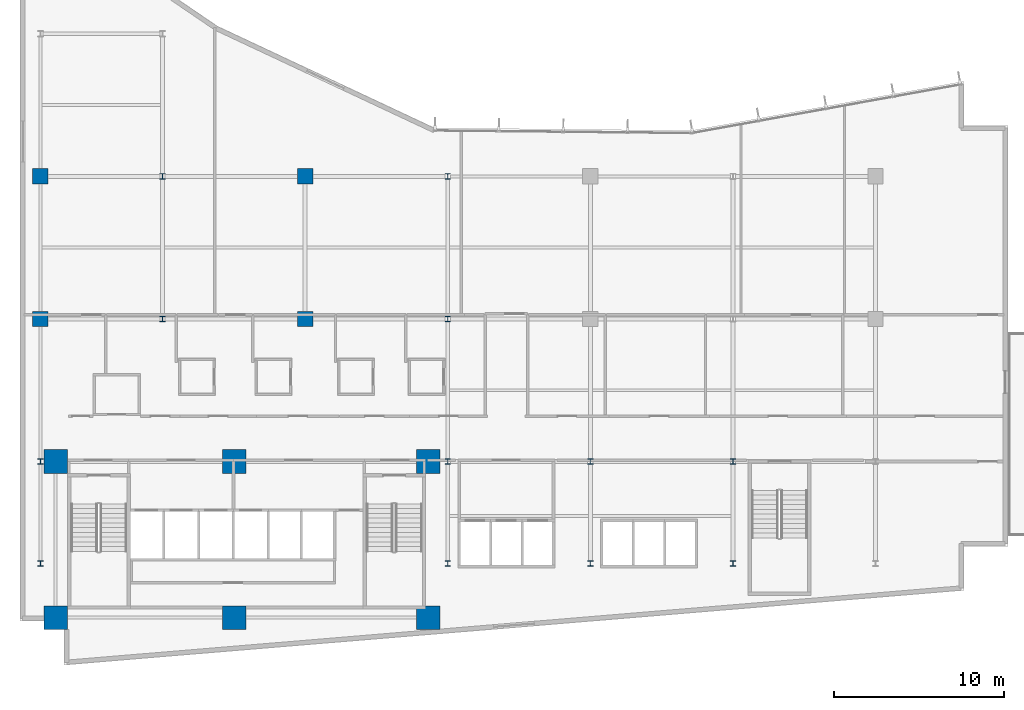
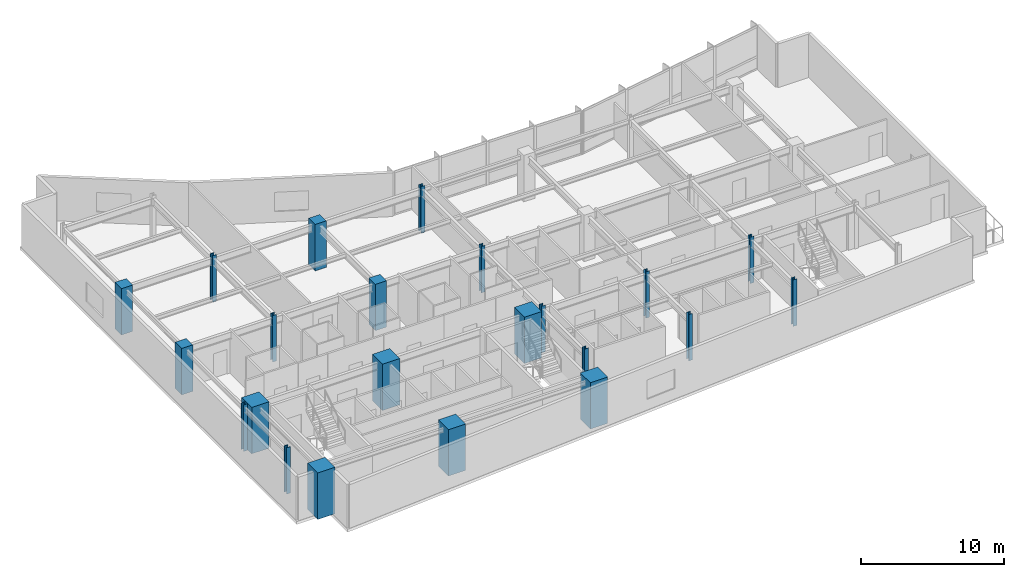
# One storey, part 1 of 18: 22 columns.
"""IFC4 building model written with IfcOpenShell, lengths in metres."""

from ifc_helpers import new_model, si_unit, direction, frame, origin, origin_2d, place, context, subcontext, project, spatial, rectangle, i_section, extrude, material, material_profile, profile_set, type_object, element, save


model = new_model("IFC4")

# Units and contexts
model_context = context("Model", 3, precision=1e-05, world=origin(), true_north=direction((0.0, 1.0)))
body_context = subcontext(model_context, "Body", "Model", "MODEL_VIEW")
ifc_project = project(units=[si_unit("LENGTHUNIT", "METRE"), si_unit("AREAUNIT", "SQUARE_METRE"), si_unit("VOLUMEUNIT", "CUBIC_METRE"), si_unit("PLANEANGLEUNIT", "RADIAN"), si_unit("MASSUNIT", "GRAM", prefix="KILO")], contexts=[model_context])

# Site, building, storey
site_placement = place(None, origin())
site = spatial("IfcSite", under=ifc_project, at=site_placement, CompositionType="ELEMENT")
building_placement = place(site_placement, origin())
building = spatial("IfcBuilding", under=site, at=building_placement, Name="Varnakote Quay Hospital", CompositionType="ELEMENT")
storey_placement = place(building_placement, frame((0.0, 0.0, 69.89990234375)))
storey = spatial("IfcBuildingStorey", under=building, at=storey_placement, Name="L17", CompositionType="ELEMENT", Elevation=69.89990234375)

# Columns
ifc_material_1 = material(Name="Concrete N80 (f'c 80 MPa)", Category="concrete")
ifc_material_profile_1 = material_profile(ifc_material_1, rectangle(XDim=1.39990234375, YDim=1.39990234375, at=origin_2d()), Name="RC-COL-1400x1400")
ifc_profile_set_1 = profile_set([ifc_material_profile_1], Name="Concrete N80 (f'c 80 MPa)")
column_type_1 = type_object("IfcColumnType", Name="COL-RC-1400", PredefinedType="COLUMN", material=ifc_profile_set_1)
for number, where, z_axis, x_axis, name in (
    (1, (2.10009765625, 2.800048828125, 0.0), (0.0, 0.0, 1.0), (1.0, 0.0, 0.0), "L17 Structural Column C-2-3"),
    (2, (12.6201171875, 2.800048828125, 0.0), (0.0, 0.0, 1.0), (1.0, 0.0, 0.0), "L17 Structural Column C-13-3"),
    (3, (24.050048828125, 2.800048828125, 0.0), (0.0, 0.0, 1.0), (1.0, 0.0, 0.0), "L17 Structural Column C-24-3"),
    (4, (2.10009765625, 12.0, 0.0), (0.0, 0.0, 1.0), (1.0, 0.0, 0.0), "L17 Structural Column C-2-12"),
    (5, (12.6201171875, 12.0, 0.0), (0.0, 0.0, 1.0), (1.0, 0.0, 0.0), "L17 Structural Column C-13-12"),
    (6, (24.050048828125, 12.0, 0.0), (0.0, 0.0, 1.0), (1.0, 0.0, 0.0), "L17 Structural Column C-24-12"),
):
    element("IfcColumn", number, at=place(storey_placement, frame(where, z_axis=z_axis, x_axis=x_axis)), inside=storey, type_object=column_type_1, Name=name, PredefinedType="COLUMN", context=body_context, shape_type="SweptSolid", body=[
        extrude(rectangle(XDim=1.39990234375, YDim=1.39990234375, at=origin_2d()), origin(), (0.0, 0.0, 1.0), 3.9501953125),
    ])
ifc_material_2 = material(Name="Concrete N50 (f'c 50 MPa)", Category="concrete")
ifc_material_profile_2 = material_profile(ifc_material_2, rectangle(XDim=0.89990234375, YDim=0.89990234375, at=origin_2d()), Name="RC-COL-900x900")
ifc_profile_set_2 = profile_set([ifc_material_profile_2], Name="Concrete N50 (f'c 50 MPa)")
column_type_2 = type_object("IfcColumnType", Name="COL-RC-900", PredefinedType="COLUMN", material=ifc_profile_set_2)
for number, where, z_axis, x_axis, name in (
    (7, (1.199951171875, 20.39990234375, 0.0), (0.0, 0.0, 1.0), (1.0, 0.0, 0.0), "L17 Structural Column C-1-20"),
    (8, (16.800048828125, 20.39990234375, 0.0), (0.0, 0.0, 1.0), (1.0, 0.0, 0.0), "L17 Structural Column C-17-20"),
    (9, (1.199951171875, 28.800048828125, 0.0), (0.0, 0.0, 1.0), (1.0, 0.0, 0.0), "L17 Structural Column C-1-29"),
    (10, (16.800048828125, 28.800048828125, 0.0), (0.0, 0.0, 1.0), (1.0, 0.0, 0.0), "L17 Structural Column C-17-29"),
):
    element("IfcColumn", number, at=place(storey_placement, frame(where, z_axis=z_axis, x_axis=x_axis)), inside=storey, type_object=column_type_2, Name=name, PredefinedType="COLUMN", context=body_context, shape_type="SweptSolid", body=[
        extrude(rectangle(XDim=0.89990234375, YDim=0.89990234375, at=origin_2d()), origin(), (0.0, 0.0, 1.0), 3.9501953125),
    ])
ifc_material_3 = material(Name="Structural steel AS/NZS 3679.1 Grade 350 L0 (fy 340 MPa)", Category="steel")
ifc_material_profile_3 = material_profile(ifc_material_3, i_section(OverallWidth=0.31103515625, OverallDepth=0.326904296875, WebThickness=0.015625, FlangeThickness=0.02490234375, FilletRadius=0.0166015625, at=origin_2d()), Name="310UC158")
ifc_profile_set_3 = profile_set([ifc_material_profile_3], Name="Structural steel AS/NZS 3679.1 Grade 350 L0 (fy 340 MPa)")
column_type_3 = type_object("IfcColumnType", Name="COL-STL-310UC158", PredefinedType="COLUMN", material=ifc_profile_set_3)
for number, where, z_axis, x_axis, name in (
    (11, (1.199951171875, 6.0, 0.0), (0.0, 0.0, 1.0), (1.0, 0.0, 0.0), "L17 Structural Column C-1-6"),
    (12, (25.199951171875, 6.0, 0.0), (0.0, 0.0, 1.0), (1.0, 0.0, 0.0), "L17 Structural Column C-25-6"),
    (13, (33.60009765625, 6.0, 0.0), (0.0, 0.0, 1.0), (1.0, 0.0, 0.0), "L17 Structural Column C-34-6"),
    (14, (42.0, 6.0, 0.0), (0.0, 0.0, 1.0), (1.0, 0.0, 0.0), "L17 Structural Column C-42-6"),
    (15, (1.199951171875, 12.0, 0.0), (0.0, 0.0, 1.0), (1.0, 0.0, 0.0), "L17 Structural Column C-1-12"),
    (16, (25.199951171875, 12.0, 0.0), (0.0, 0.0, 1.0), (1.0, 0.0, 0.0), "L17 Structural Column C-25-12"),
    (17, (33.60009765625, 12.0, 0.0), (0.0, 0.0, 1.0), (1.0, 0.0, 0.0), "L17 Structural Column C-34-12"),
    (18, (42.0, 12.0, 0.0), (0.0, 0.0, 1.0), (1.0, 0.0, 0.0), "L17 Structural Column C-42-12"),
    (19, (8.39990234375, 20.39990234375, 0.0), (0.0, 0.0, 1.0), (1.0, 0.0, 0.0), "L17 Structural Column C-8-20"),
    (20, (25.199951171875, 20.39990234375, 0.0), (0.0, 0.0, 1.0), (1.0, 0.0, 0.0), "L17 Structural Column C-25-20"),
    (21, (8.39990234375, 28.800048828125, 0.0), (0.0, 0.0, 1.0), (1.0, 0.0, 0.0), "L17 Structural Column C-8-29"),
    (22, (25.199951171875, 28.800048828125, 0.0), (0.0, 0.0, 1.0), (1.0, 0.0, 0.0), "L17 Structural Column C-25-29"),
):
    element("IfcColumn", number, at=place(storey_placement, frame(where, z_axis=z_axis, x_axis=x_axis)), inside=storey, type_object=column_type_3, Name=name, PredefinedType="COLUMN", context=body_context, shape_type="SweptSolid", body=[
        extrude(i_section(OverallWidth=0.31103515625, OverallDepth=0.326904296875, WebThickness=0.015625, FlangeThickness=0.02490234375, FilletRadius=0.0166015625, at=origin_2d()), origin(), (0.0, 0.0, 1.0), 3.9501953125),
    ])

save(model, "model.ifc")
